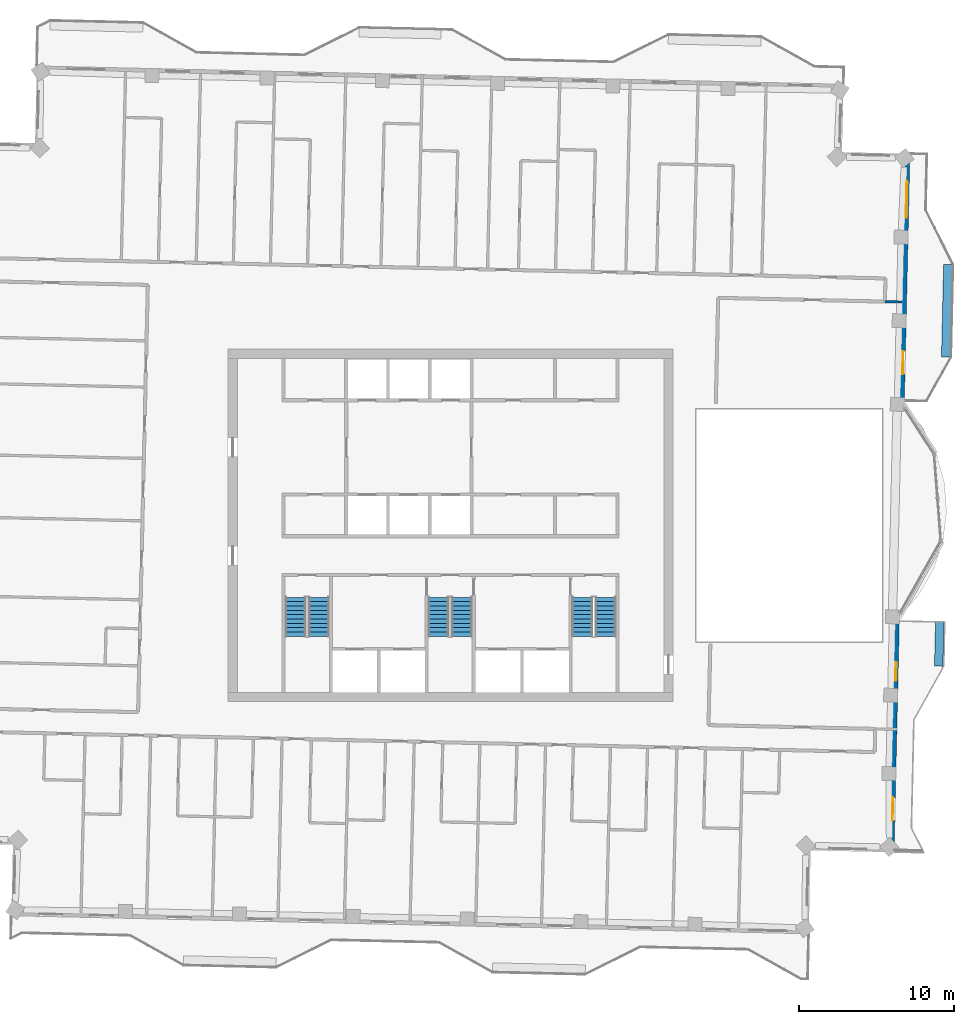
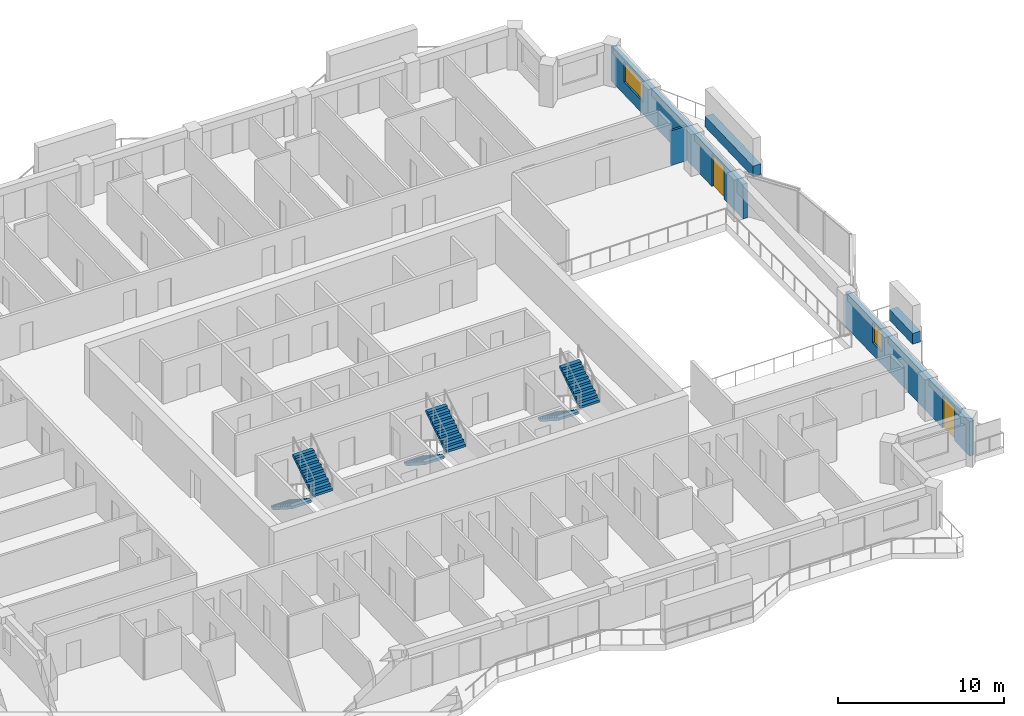
# One storey, part 11 of 15: 6 stair flights, 5 walls, 2 doors, 2 windows, 4 openings, 3 elements without a shape of their own.
"""IFC4 building model written with IfcOpenShell, lengths in metres."""

from ifc_helpers import new_model, si_unit, direction, frame, frame_2d, origin, place, context, subcontext, project, spatial, polyline, rectangle, outline, extrude, material, layer, layer_set, type_object, element, fill, aggregate, save


model = new_model("IFC4")

# Units and contexts
model_context = context("Model", 3, precision=1e-05, world=origin(), true_north=direction((0.0, 1.0)))
body_context = subcontext(model_context, "Body", "Model", "MODEL_VIEW")
ifc_project = project(units=[si_unit("LENGTHUNIT", "METRE"), si_unit("AREAUNIT", "SQUARE_METRE"), si_unit("VOLUMEUNIT", "CUBIC_METRE"), si_unit("PLANEANGLEUNIT", "RADIAN"), si_unit("MASSUNIT", "GRAM", prefix="KILO")], contexts=[model_context])

# Site, building, storey
site_placement = place(None, origin())
site = spatial("IfcSite", under=ifc_project, at=site_placement, CompositionType="ELEMENT")
building_placement = place(site_placement, origin())
building = spatial("IfcBuilding", under=site, at=building_placement, Name="Mangrove Gate Tower", CompositionType="ELEMENT")
storey_placement = place(building_placement, frame((0.0, 0.0, 306.10009765625)))
storey = spatial("IfcBuildingStorey", under=building, at=storey_placement, Name="L78", CompositionType="ELEMENT", Elevation=306.10009765625)

# Wall, openings, door, window
ifc_material_1 = material(Name="Limestone", Category="masonry")
ifc_layer_1 = layer(ifc_material_1, 0.0400390625, Name="Limestone cladding")
ifc_material_2 = material(Name="Ventilated air gap")
ifc_layer_2 = layer(ifc_material_2, 0.0400390625, Name="Ventilated cavity")
ifc_material_3 = material(Name="Mineral wool insulation")
ifc_layer_3 = layer(ifc_material_3, 0.06005859375, Name="Insulation")
ifc_material_4 = material(Name="Breather membrane")
ifc_layer_4 = layer(ifc_material_4, 0.001953125, Name="Breather membrane")
ifc_material_5 = material(Name="Concrete C20/25 blockwork", Category="masonry")
ifc_layer_5 = layer(ifc_material_5, 0.14990234375, Name="Blockwork backing wall")
ifc_material_6 = material(Name="Gypsum plaster")
ifc_layer_6 = layer(ifc_material_6, 0.008056640625, Name="Internal plaster")
ifc_layer_set_1 = layer_set([ifc_layer_1, ifc_layer_2, ifc_layer_3, ifc_layer_4, ifc_layer_5, ifc_layer_6], Name="External wall 300 limestone cladding")
wall_type_1 = type_object("IfcWallType", Name="External wall 300 limestone cladding", PredefinedType="SOLIDWALL", material=ifc_layer_set_1)
wall_1_placement = place(storey_placement, frame((28.5439453125, -20.989990234375, 0.0), z_axis=(0.0, 0.0, 1.0), x_axis=(0.022676396018, 0.999742857471, 0.0)))
wall_1 = element("IfcWall", 1, at=wall_1_placement, inside=storey, type_object=wall_type_1, Name="WALL-L78-E0s1", PredefinedType="SOLIDWALL", context=body_context, shape_type="SweptSolid", body=[
    extrude(rectangle(XDim=15.52490234375, YDim=0.300048828125, at=frame_2d((7.762451171875, 0.0))), origin(), (0.0, 0.0, 1.0), 2.5498046875),
])
opening_1_placement = place(wall_1_placement, frame((1.89501953125, 0.0, 0.0)))
opening_1 = element("IfcOpeningElement", 2, at=opening_1_placement, cuts=wall_1, Name="Opening BD1", PredefinedType="OPENING", context=body_context, shape_type="SweptSolid", body=[
    extrude(rectangle(XDim=1.5, YDim=2.39990234375, at=frame_2d((0.75, 1.199951171875))), frame((0.0, 0.159912109375, 0.0), z_axis=(0.0, -1.0, 0.0), x_axis=(1.0, 0.0, 0.0)), (0.0, 0.0, 1.0), 0.320068359375),
])
opening_2_placement = place(wall_1_placement, frame((10.946044921875, 0.0, 0.89990234375)))
opening_2 = element("IfcOpeningElement", 3, at=opening_2_placement, cuts=wall_1, Name="Opening W1", PredefinedType="OPENING", context=body_context, shape_type="SweptSolid", body=[
    extrude(rectangle(XDim=1.199951171875, YDim=1.5, at=frame_2d((0.60009765625, 0.75))), frame((0.0, 0.159912109375, 0.0), z_axis=(0.0, -1.0, 0.0), x_axis=(1.0, 0.0, 0.0)), (0.0, 0.0, 1.0), 0.320068359375),
])
ifc_material_7 = material(Name="Aluminium frame with laminated clear glass", Category="aluminium")
door_type = type_object("IfcDoorType", Name="Balcony sliding door 1500x2400", OperationType="SLIDING_TO_LEFT", PredefinedType="DOOR", material=ifc_material_7)
door_1_placement = place(opening_1_placement, origin())
door_1 = element("IfcDoor", 4, at=door_1_placement, inside=storey, type_object=door_type, Name="DOOR-L78-E0-1", OperationType="SLIDING_TO_LEFT", OverallHeight=2.39990234375, OverallWidth=1.5, PredefinedType="DOOR", context=body_context, shape_type="SweptSolid", body=[
    extrude(rectangle(XDim=1.5, YDim=2.39990234375, at=frame_2d((0.75, 1.199951171875))), frame((0.0, 0.02490234375, 0.0), z_axis=(0.0, -1.0, 0.0), x_axis=(1.0, 0.0, 0.0)), (0.0, 0.0, 1.0), 0.050048828125),
])
fill(opening_1, door_1)
ifc_material_8 = material(Name="Aluminium frame with double-glazed low-e glass", Category="aluminium")
window_type_1 = type_object("IfcWindowType", Name="Side lite 1200x1500", PartitioningType="SINGLE_PANEL", PredefinedType="WINDOW", material=ifc_material_8)
window_1_placement = place(opening_2_placement, origin())
window_1 = element("IfcWindow", 5, at=window_1_placement, inside=storey, type_object=window_type_1, Name="WIN-L78-E0-2", OverallHeight=1.5, OverallWidth=1.199951171875, PartitioningType="SINGLE_PANEL", PredefinedType="WINDOW", context=body_context, shape_type="SweptSolid", body=[
    extrude(rectangle(XDim=1.199951171875, YDim=1.5, at=frame_2d((0.60009765625, 0.75))), frame((0.0, 0.030029296875, 0.0), z_axis=(0.0, -1.0, 0.0), x_axis=(1.0, 0.0, 0.0)), (0.0, 0.0, 1.0), 0.06005859375),
])
fill(opening_2, window_1)

wall_2_placement = place(storey_placement, frame((29.18798828125, 7.37890625, 0.0), z_axis=(0.0, 0.0, 1.0), x_axis=(0.022693884957, 0.99974246063, 0.0)))
wall_2 = element("IfcWall", 6, at=wall_2_placement, inside=storey, type_object=wall_type_1, Name="WALL-L78-E2s1", PredefinedType="SOLIDWALL", context=body_context, shape_type="SweptSolid", body=[
    extrude(rectangle(XDim=16.524169921875, YDim=0.300048828125, at=frame_2d((8.26220703125, 0.0))), origin(), (0.0, 0.0, 1.0), 2.5498046875),
])
opening_3_placement = place(wall_2_placement, frame((2.404052734375, 0.0, 0.0)))
opening_3 = element("IfcOpeningElement", 7, at=opening_3_placement, cuts=wall_2, Name="Opening BD1", PredefinedType="OPENING", context=body_context, shape_type="SweptSolid", body=[
    extrude(rectangle(XDim=1.5, YDim=2.39990234375, at=frame_2d((0.75, 1.199951171875))), frame((0.0, 0.159912109375, 0.0), z_axis=(0.0, -1.0, 0.0), x_axis=(1.0, 0.0, 0.0)), (0.0, 0.0, 1.0), 0.320068359375),
])
opening_4_placement = place(wall_2_placement, frame((12.535888671875, 0.0, 0.89990234375)))
opening_4 = element("IfcOpeningElement", 8, at=opening_4_placement, cuts=wall_2, Name="Opening W2", PredefinedType="OPENING", context=body_context, shape_type="SweptSolid", body=[
    extrude(rectangle(XDim=2.39990234375, YDim=1.5, at=frame_2d((1.199951171875, 0.75))), frame((0.0, 0.159912109375, 0.0), z_axis=(0.0, -1.0, 0.0), x_axis=(1.0, 0.0, 0.0)), (0.0, 0.0, 1.0), 0.320068359375),
])
door_2_placement = place(opening_3_placement, origin())
door_2 = element("IfcDoor", 9, at=door_2_placement, inside=storey, type_object=door_type, Name="DOOR-L78-E2-1", OperationType="SLIDING_TO_LEFT", OverallHeight=2.39990234375, OverallWidth=1.5, PredefinedType="DOOR", context=body_context, shape_type="SweptSolid", body=[
    extrude(rectangle(XDim=1.5, YDim=2.39990234375, at=frame_2d((0.75, 1.199951171875))), frame((0.0, 0.02490234375, 0.0), z_axis=(0.0, -1.0, 0.0), x_axis=(1.0, 0.0, 0.0)), (0.0, 0.0, 1.0), 0.050048828125),
])
fill(opening_3, door_2)
ifc_material_9 = material(Name="Aluminium frame with double-glazed low-e glass", Category="aluminium")
window_type_2 = type_object("IfcWindowType", Name="Corner room window 2400x1500", PartitioningType="DOUBLE_PANEL_VERTICAL", PredefinedType="WINDOW", material=ifc_material_9)
window_2_placement = place(opening_4_placement, origin())
window_2 = element("IfcWindow", 10, at=window_2_placement, inside=storey, type_object=window_type_2, Name="WIN-L78-E2-2", OverallHeight=1.5, OverallWidth=2.39990234375, PartitioningType="DOUBLE_PANEL_VERTICAL", PredefinedType="WINDOW", context=body_context, shape_type="SweptSolid", body=[
    extrude(rectangle(XDim=2.39990234375, YDim=1.5, at=frame_2d((1.199951171875, 0.75))), frame((0.0, 0.030029296875, 0.0), z_axis=(0.0, -1.0, 0.0), x_axis=(1.0, 0.0, 0.0)), (0.0, 0.0, 1.0), 0.06005859375),
])
fill(opening_4, window_2)

# Walls
ifc_material_10 = material(Name="Gypsum board on steel stud, EI 60", Category="steel")
ifc_layer_7 = layer(ifc_material_10, 0.14990234375)
ifc_layer_set_2 = layer_set([ifc_layer_7], Name="Party wall 150 EI 60")
wall_type_2 = type_object("IfcWallType", Name="Party wall 150 EI 60", PredefinedType="PARTITIONING", material=ifc_layer_set_2)
wall_3_placement = place(storey_placement, frame((28.09912109375, 14.47998046875, 0.0), z_axis=(0.0, 0.0, 1.0), x_axis=(0.999743779532, -0.022635708216, 0.0)))
element("IfcWall", 11, at=wall_3_placement, inside=storey, type_object=wall_type_2, Name="WALL-L78-056", PredefinedType="PARTITIONING", context=body_context, shape_type="SweptSolid", body=[
    extrude(rectangle(XDim=1.10009765625, YDim=0.14990234375, at=frame_2d((0.550048828125, 0.0))), origin(), (0.0, 0.0, 1.0), 2.5498046875),
])
ifc_material_11 = material(Name="Concrete C32/40", Category="concrete")
ifc_layer_8 = layer(ifc_material_11, 0.199951171875, Name="Planter trough wall")
ifc_material_12 = material(Name="Bituminous waterproofing membrane")
ifc_layer_9 = layer(ifc_material_12, 0.0048828125, Name="Waterproofing")
ifc_material_13 = material(Name="Drainage board and gravel")
ifc_layer_10 = layer(ifc_material_13, 0.044921875, Name="Drainage layer")
ifc_material_14 = material(Name="Planting soil")
ifc_layer_11 = layer(ifc_material_14, 0.300048828125, Name="Growing medium")
ifc_layer_set_3 = layer_set([ifc_layer_8, ifc_layer_9, ifc_layer_10, ifc_layer_11], Name="Planter wall 550 C32/40")
wall_type_3 = type_object("IfcWallType", Name="Planter wall 550 C32/40", PredefinedType="USERDEFINED", material=ifc_layer_set_3)
wall_4_placement = place(storey_placement, frame((31.580078125, -9.10595703125, 0.0), z_axis=(0.0, 0.0, 1.0), x_axis=(0.022590224177, 0.999744808324, 0.0)))
element("IfcWall", 12, at=wall_4_placement, inside=storey, type_object=wall_type_3, Name="PLANTER L78 E0.1", ObjectType="PLANTER", PredefinedType="USERDEFINED", context=body_context, shape_type="SweptSolid", body=[
    extrude(rectangle(XDim=2.874755859375, YDim=0.550048828125, at=frame_2d((1.4375, 0.0))), origin(), (0.0, 0.0, 1.0), 0.7998046875),
])
wall_5_placement = place(storey_placement, frame((32.032958984375, 10.888916015625, 0.0), z_axis=(0.0, 0.0, 1.0), x_axis=(0.022662255828, 0.999743178102, 0.0)))
element("IfcWall", 13, at=wall_5_placement, inside=storey, type_object=wall_type_3, Name="PLANTER L78 E1.1", ObjectType="PLANTER", PredefinedType="USERDEFINED", context=body_context, shape_type="SweptSolid", body=[
    extrude(rectangle(XDim=6.00048828125, YDim=0.550048828125, at=frame_2d((3.000244140625, 0.0))), origin(), (0.0, 0.0, 1.0), 0.7998046875),
])

# Stair, stair flights
ifc_material_15 = material(Name="Concrete C40/50", Category="concrete")
stair_type = type_object("IfcStairType", Name="Core stair 1350", PredefinedType="HALF_TURN_STAIR", material=ifc_material_15)
stair_1_placement = place(storey_placement, origin())
stair_1 = element("IfcStair", 14, at=stair_1_placement, inside=storey, type_object=stair_type, Name="L78 Stair 1", PredefinedType="HALF_TURN_STAIR")
ifc_material_16 = material(Name="Concrete C40/50", Category="concrete")
stair_flight_type = type_object("IfcStairFlightType", Name="Core stair flight 1350", PredefinedType="STRAIGHT", material=ifc_material_16)
stair_flight_1_placement = place(storey_placement, frame((-10.02490234375, -4.64990234375, 0.0), z_axis=(0.0, 0.0, 1.0), x_axis=(0.0, -1.0, 0.0)))
stair_flight_1 = element("IfcStairFlight", 15, at=stair_flight_1_placement, type_object=stair_flight_type, Name="ST1 flight 1", NumberOfRisers=10, NumberOfTreads=9, PredefinedType="STRAIGHT", RiserHeight=0.18, TreadLength=0.28, context=body_context, shape_type="SweptSolid", body=[
    extrude(outline(polyline([(0.0, 0.0), (0.0, 0.179931640625), (0.280029296875, 0.179931640625), (0.280029296875, 0.360107421875), (0.56005859375, 0.360107421875), (0.56005859375, 0.5400390625), (0.840087890625, 0.5400390625), (0.840087890625, 0.719970703125), (1.1201171875, 0.719970703125), (1.1201171875, 0.89990234375), (1.39990234375, 0.89990234375), (1.39990234375, 1.080078125), (1.679931640625, 1.080078125), (1.679931640625, 1.260009765625), (1.9599609375, 1.260009765625), (1.9599609375, 1.43994140625), (2.239990234375, 1.43994140625), (2.239990234375, 1.6201171875), (2.52001953125, 1.6201171875), (2.52001953125, 1.800048828125), (2.52001953125, 1.44189453125), (0.277099609375, 0.0), (0.0, 0.0)])), frame((0.0, 0.675048828125, 0.0), z_axis=(0.0, -1.0, 0.0), x_axis=(1.0, 0.0, 0.0)), (0.0, 0.0, 1.0), 1.35009765625),
])
stair_flight_2_placement = place(storey_placement, frame((-8.52490234375, -7.169921875, 1.7998046875), z_axis=(0.0, 0.0, 1.0), x_axis=(0.0, 1.0, 0.0)))
stair_flight_2 = element("IfcStairFlight", 16, at=stair_flight_2_placement, type_object=stair_flight_type, Name="ST1 flight 2", NumberOfRisers=10, NumberOfTreads=9, PredefinedType="STRAIGHT", RiserHeight=0.18, TreadLength=0.28, context=body_context, shape_type="SweptSolid", body=[
    extrude(outline(polyline([(0.0, 0.0), (0.0, 0.179931640625), (0.280029296875, 0.179931640625), (0.280029296875, 0.360107421875), (0.56005859375, 0.360107421875), (0.56005859375, 0.5400390625), (0.840087890625, 0.5400390625), (0.840087890625, 0.719970703125), (1.1201171875, 0.719970703125), (1.1201171875, 0.89990234375), (1.39990234375, 0.89990234375), (1.39990234375, 1.080078125), (1.679931640625, 1.080078125), (1.679931640625, 1.260009765625), (1.9599609375, 1.260009765625), (1.9599609375, 1.43994140625), (2.239990234375, 1.43994140625), (2.239990234375, 1.6201171875), (2.52001953125, 1.6201171875), (2.52001953125, 1.800048828125), (2.52001953125, 1.44189453125), (0.277099609375, 0.0), (0.0, 0.0)])), frame((0.0, 0.675048828125, 0.0), z_axis=(0.0, -1.0, 0.0), x_axis=(1.0, 0.0, 0.0)), (0.0, 0.0, 1.0), 1.35009765625),
])
aggregate(stair_1, [stair_flight_1, stair_flight_2])

stair_2_placement = place(storey_placement, origin())
stair_2 = element("IfcStair", 17, at=stair_2_placement, inside=storey, type_object=stair_type, Name="L78 Stair 2", PredefinedType="HALF_TURN_STAIR")
stair_flight_3_placement = place(storey_placement, frame((-0.77490234375, -4.64990234375, 0.0), z_axis=(0.0, 0.0, 1.0), x_axis=(0.0, -1.0, 0.0)))
stair_flight_3 = element("IfcStairFlight", 18, at=stair_flight_3_placement, type_object=stair_flight_type, Name="ST2 flight 1", NumberOfRisers=10, NumberOfTreads=9, PredefinedType="STRAIGHT", RiserHeight=0.18, TreadLength=0.28, context=body_context, shape_type="SweptSolid", body=[
    extrude(outline(polyline([(0.0, 0.0), (0.0, 0.179931640625), (0.280029296875, 0.179931640625), (0.280029296875, 0.360107421875), (0.56005859375, 0.360107421875), (0.56005859375, 0.5400390625), (0.840087890625, 0.5400390625), (0.840087890625, 0.719970703125), (1.1201171875, 0.719970703125), (1.1201171875, 0.89990234375), (1.39990234375, 0.89990234375), (1.39990234375, 1.080078125), (1.679931640625, 1.080078125), (1.679931640625, 1.260009765625), (1.9599609375, 1.260009765625), (1.9599609375, 1.43994140625), (2.239990234375, 1.43994140625), (2.239990234375, 1.6201171875), (2.52001953125, 1.6201171875), (2.52001953125, 1.800048828125), (2.52001953125, 1.44189453125), (0.277099609375, 0.0), (0.0, 0.0)])), frame((0.0, 0.675048828125, 0.0), z_axis=(0.0, -1.0, 0.0), x_axis=(1.0, 0.0, 0.0)), (0.0, 0.0, 1.0), 1.35009765625),
])
stair_flight_4_placement = place(storey_placement, frame((0.72509765625, -7.169921875, 1.7998046875), z_axis=(0.0, 0.0, 1.0), x_axis=(0.0, 1.0, 0.0)))
stair_flight_4 = element("IfcStairFlight", 19, at=stair_flight_4_placement, type_object=stair_flight_type, Name="ST2 flight 2", NumberOfRisers=10, NumberOfTreads=9, PredefinedType="STRAIGHT", RiserHeight=0.18, TreadLength=0.28, context=body_context, shape_type="SweptSolid", body=[
    extrude(outline(polyline([(0.0, 0.0), (0.0, 0.179931640625), (0.280029296875, 0.179931640625), (0.280029296875, 0.360107421875), (0.56005859375, 0.360107421875), (0.56005859375, 0.5400390625), (0.840087890625, 0.5400390625), (0.840087890625, 0.719970703125), (1.1201171875, 0.719970703125), (1.1201171875, 0.89990234375), (1.39990234375, 0.89990234375), (1.39990234375, 1.080078125), (1.679931640625, 1.080078125), (1.679931640625, 1.260009765625), (1.9599609375, 1.260009765625), (1.9599609375, 1.43994140625), (2.239990234375, 1.43994140625), (2.239990234375, 1.6201171875), (2.52001953125, 1.6201171875), (2.52001953125, 1.800048828125), (2.52001953125, 1.44189453125), (0.277099609375, 0.0), (0.0, 0.0)])), frame((0.0, 0.675048828125, 0.0), z_axis=(0.0, -1.0, 0.0), x_axis=(1.0, 0.0, 0.0)), (0.0, 0.0, 1.0), 1.35009765625),
])
aggregate(stair_2, [stair_flight_3, stair_flight_4])

stair_3_placement = place(storey_placement, origin())
stair_3 = element("IfcStair", 20, at=stair_3_placement, inside=storey, type_object=stair_type, Name="L78 Stair 3", PredefinedType="HALF_TURN_STAIR")
stair_flight_5_placement = place(storey_placement, frame((8.52490234375, -4.64990234375, 0.0), z_axis=(0.0, 0.0, 1.0), x_axis=(0.0, -1.0, 0.0)))
stair_flight_5 = element("IfcStairFlight", 21, at=stair_flight_5_placement, type_object=stair_flight_type, Name="ST3 flight 1", NumberOfRisers=10, NumberOfTreads=9, PredefinedType="STRAIGHT", RiserHeight=0.18, TreadLength=0.28, context=body_context, shape_type="SweptSolid", body=[
    extrude(outline(polyline([(0.0, 0.0), (0.0, 0.179931640625), (0.280029296875, 0.179931640625), (0.280029296875, 0.360107421875), (0.56005859375, 0.360107421875), (0.56005859375, 0.5400390625), (0.840087890625, 0.5400390625), (0.840087890625, 0.719970703125), (1.1201171875, 0.719970703125), (1.1201171875, 0.89990234375), (1.39990234375, 0.89990234375), (1.39990234375, 1.080078125), (1.679931640625, 1.080078125), (1.679931640625, 1.260009765625), (1.9599609375, 1.260009765625), (1.9599609375, 1.43994140625), (2.239990234375, 1.43994140625), (2.239990234375, 1.6201171875), (2.52001953125, 1.6201171875), (2.52001953125, 1.800048828125), (2.52001953125, 1.44189453125), (0.277099609375, 0.0), (0.0, 0.0)])), frame((0.0, 0.675048828125, 0.0), z_axis=(0.0, -1.0, 0.0), x_axis=(1.0, 0.0, 0.0)), (0.0, 0.0, 1.0), 1.35009765625),
])
stair_flight_6_placement = place(storey_placement, frame((10.02490234375, -7.169921875, 1.7998046875), z_axis=(0.0, 0.0, 1.0), x_axis=(0.0, 1.0, 0.0)))
stair_flight_6 = element("IfcStairFlight", 22, at=stair_flight_6_placement, type_object=stair_flight_type, Name="ST3 flight 2", NumberOfRisers=10, NumberOfTreads=9, PredefinedType="STRAIGHT", RiserHeight=0.18, TreadLength=0.28, context=body_context, shape_type="SweptSolid", body=[
    extrude(outline(polyline([(0.0, 0.0), (0.0, 0.179931640625), (0.280029296875, 0.179931640625), (0.280029296875, 0.360107421875), (0.56005859375, 0.360107421875), (0.56005859375, 0.5400390625), (0.840087890625, 0.5400390625), (0.840087890625, 0.719970703125), (1.1201171875, 0.719970703125), (1.1201171875, 0.89990234375), (1.39990234375, 0.89990234375), (1.39990234375, 1.080078125), (1.679931640625, 1.080078125), (1.679931640625, 1.260009765625), (1.9599609375, 1.260009765625), (1.9599609375, 1.43994140625), (2.239990234375, 1.43994140625), (2.239990234375, 1.6201171875), (2.52001953125, 1.6201171875), (2.52001953125, 1.800048828125), (2.52001953125, 1.44189453125), (0.277099609375, 0.0), (0.0, 0.0)])), frame((0.0, 0.675048828125, 0.0), z_axis=(0.0, -1.0, 0.0), x_axis=(1.0, 0.0, 0.0)), (0.0, 0.0, 1.0), 1.35009765625),
])
aggregate(stair_3, [stair_flight_5, stair_flight_6])

save(model, "model.ifc")
